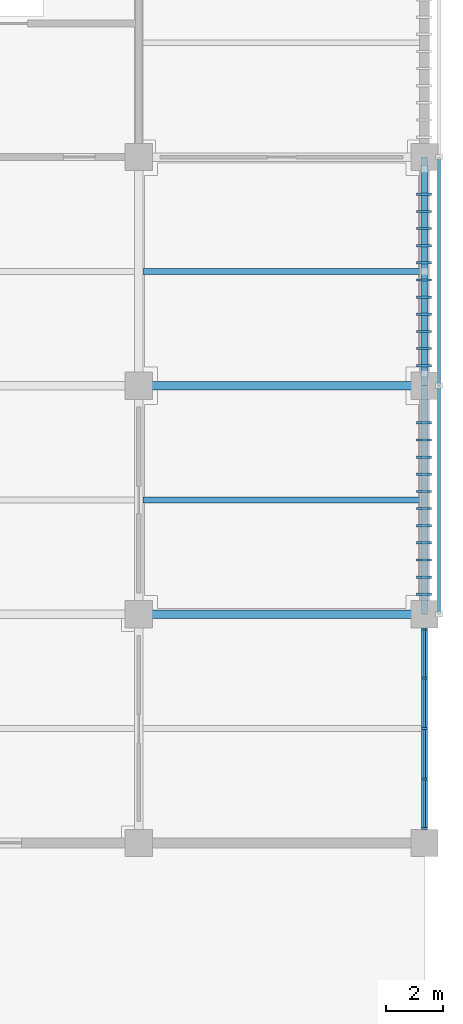
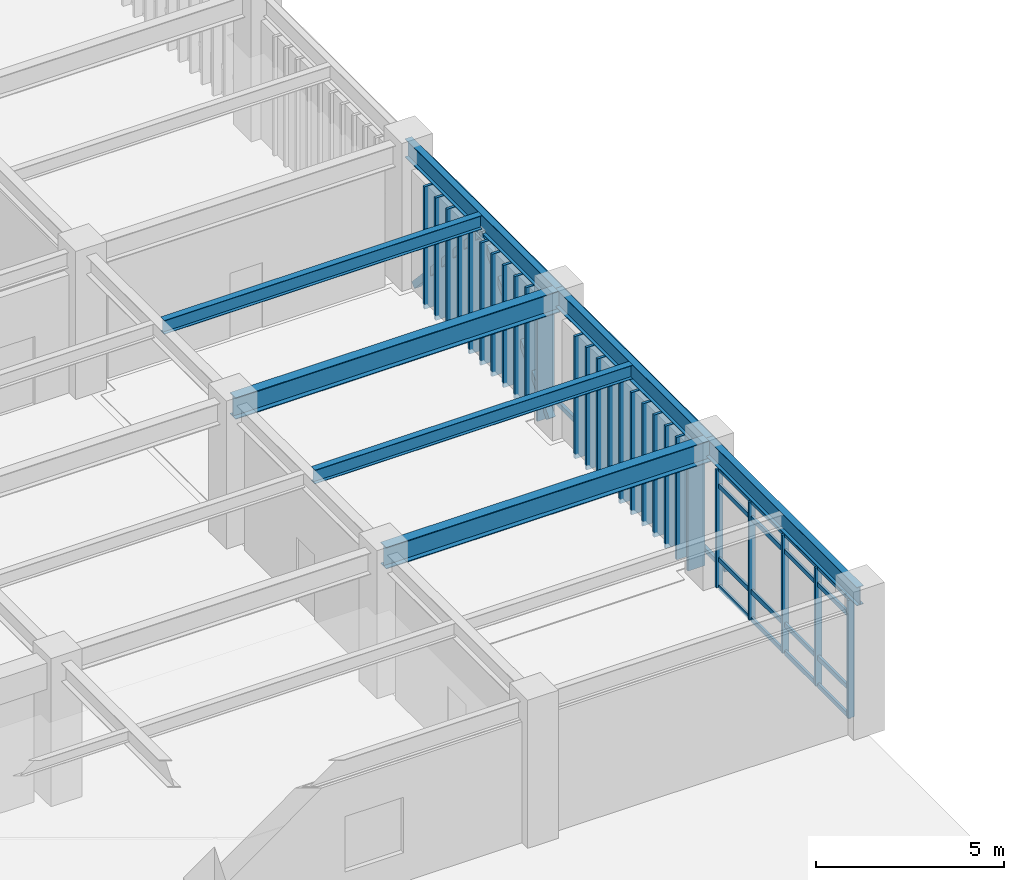
# One storey, part 29 of 109: 49 members, 7 beams, 1 element without a shape of its own.
"""IFC4 building model written with IfcOpenShell, lengths in metres."""

from ifc_helpers import new_model, si_unit, direction, frame, origin, origin_2d, place, context, subcontext, project, spatial, rectangle, hollow_rectangle, i_section, extrude, material, layer, layer_set, material_profile, profile_set, type_object, element, aggregate, save


model = new_model("IFC4")

# Units and contexts
model_context = context("Model", 3, precision=1e-05, world=origin(), true_north=direction((0.0, 1.0)))
body_context = subcontext(model_context, "Body", "Model", "MODEL_VIEW")
ifc_project = project(units=[si_unit("LENGTHUNIT", "METRE"), si_unit("AREAUNIT", "SQUARE_METRE"), si_unit("VOLUMEUNIT", "CUBIC_METRE"), si_unit("PLANEANGLEUNIT", "RADIAN"), si_unit("MASSUNIT", "GRAM", prefix="KILO")], contexts=[model_context])

# Site, building, storey
site_placement = place(None, origin())
site = spatial("IfcSite", under=ifc_project, at=site_placement, CompositionType="ELEMENT")
building_placement = place(site_placement, origin())
building = spatial("IfcBuilding", under=site, at=building_placement, Name="Haebicheon Civic Stadium", CompositionType="ELEMENT")
storey_placement = place(building_placement, frame((0.0, 0.0, 9.60009765625)))
storey = spatial("IfcBuildingStorey", under=building, at=storey_placement, Name="L03", CompositionType="ELEMENT", Elevation=9.60009765625)

# Beams
ifc_material_1 = material(Name="Steel SM490", Category="steel")
ifc_material_profile_1 = material_profile(ifc_material_1, i_section(OverallWidth=0.300048828125, OverallDepth=0.699951171875, WebThickness=0.012939453125, FlangeThickness=0.02392578125, at=origin_2d()), Name="H-700x300x13x24")
ifc_profile_set_1 = profile_set([ifc_material_profile_1], Name="Steel SM490")
beam_type_1 = type_object("IfcBeamType", Name="BM-ST-H700", PredefinedType="BEAM", material=ifc_profile_set_1)
for number, where, z_axis, x_axis, name in (
    (1, (226.0, 48.0, 4.18994140625), (1.0, 0.0, 0.0), (0.0, 1.0, 0.0), "L03 beam G/29-30"),
    (2, (226.0, 56.0, 4.18994140625), (1.0, 0.0, 0.0), (0.0, 1.0, 0.0), "L03 beam H/29-30"),
):
    element("IfcBeam", number, at=place(storey_placement, frame(where, z_axis=z_axis, x_axis=x_axis)), inside=storey, type_object=beam_type_1, material=ifc_profile_set_1, Name=name, PredefinedType="BEAM", context=body_context, shape_type="SweptSolid", body=[
        extrude(i_section(OverallWidth=0.300048828125, OverallDepth=0.699951171875, WebThickness=0.012939453125, FlangeThickness=0.02392578125, at=origin_2d()), origin(), (0.0, 0.0, 1.0), 10.0),
    ])

# Members
ifc_material_2 = material(Name="Steel SM355 (S355)", Category="steel")
ifc_material_profile_2 = material_profile(ifc_material_2, hollow_rectangle(XDim=0.199951171875, YDim=0.199951171875, WallThickness=0.009033203125, at=origin_2d()), Name="RHS-200x200x9.0")
ifc_profile_set_2 = profile_set([ifc_material_profile_2], Name="Steel SM355 (S355)")
member_type_1 = type_object("IfcMemberType", Name="BRC-RHS200", PredefinedType="BRACE", material=ifc_profile_set_2)
for number, where, z_axis, x_axis, name in (
    (3, (236.0, 56.419921875, 0.039794921875), (0.0, 0.676231908598, 0.736688812046), (-1.0, 0.0, 0.0), "BR200 chevron brace L03 28-07 A"),
    (4, (236.0, 63.580078125, 0.039794921875), (0.0, -0.676231908598, 0.736688812046), (1.0, 0.0, 0.0), "BR200 chevron brace L03 28-07 B"),
):
    element("IfcMember", number, at=place(storey_placement, frame(where, z_axis=z_axis, x_axis=x_axis)), inside=storey, type_object=member_type_1, material=ifc_profile_set_2, Name=name, PredefinedType="BRACE", context=body_context, shape_type="SweptSolid", body=[
        extrude(hollow_rectangle(XDim=0.199951171875, YDim=0.199951171875, WallThickness=0.009033203125, at=origin_2d()), origin(), (0.0, 0.0, 1.0), 5.294189453125),
    ])

# Curtain wall, members
ifc_material_3 = material(Name="Anodised aluminium and laminated glass", Category="aluminium")
ifc_layer = layer(ifc_material_3, 0.179931640625, Name="Anodised aluminium and laminated glass")
ifc_layer_set = layer_set([ifc_layer], Name="Anodised aluminium and laminated glass")
curtain_wall_type = type_object("IfcCurtainWallType", Name="CW-7050x3830", PredefinedType="NOTDEFINED", material=ifc_layer_set)
curtain_wall_placement = place(storey_placement, origin())
curtain_wall = element("IfcCurtainWall", 5, at=curtain_wall_placement, inside=storey, type_object=curtain_wall_type, material=ifc_layer_set, Name="L03 unitised curtain wall 101", PredefinedType="NOTDEFINED")
ifc_material_4 = material(Name="Anodised aluminium 6063-T6", Category="aluminium")
ifc_material_profile_3 = material_profile(ifc_material_4, rectangle(XDim=0.070068359375, YDim=0.199951171875, at=origin_2d()), Name="ALU-MULL-70x200")
ifc_profile_set_3 = profile_set([ifc_material_profile_3], Name="Anodised aluminium 6063-T6")
member_type_2 = type_object("IfcMemberType", Name="CWM-200x70", PredefinedType="MULLION", material=ifc_profile_set_3)
member_1_placement = place(storey_placement, frame((236.0, 40.510009765625, 0.0), z_axis=(0.0, 0.0, 1.0), x_axis=(0.0, 1.0, 0.0)))
member_1 = element("IfcMember", 6, at=member_1_placement, type_object=member_type_2, material=ifc_profile_set_3, Name="CW-L03-101 vertical mullion 1", PredefinedType="MULLION", context=body_context, shape_type="SweptSolid", body=[
    extrude(rectangle(XDim=0.070068359375, YDim=0.199951171875, at=origin_2d()), origin(), (0.0, 0.0, 1.0), 3.829833984375),
])
member_2_placement = place(storey_placement, frame((236.0, 42.237060546875, 0.0), z_axis=(0.0, 0.0, 1.0), x_axis=(0.0, 1.0, 0.0)))
member_2 = element("IfcMember", 7, at=member_2_placement, type_object=member_type_2, material=ifc_profile_set_3, Name="CW-L03-101 vertical mullion 2", PredefinedType="MULLION", context=body_context, shape_type="SweptSolid", body=[
    extrude(rectangle(XDim=0.070068359375, YDim=0.199951171875, at=origin_2d()), origin(), (0.0, 0.0, 1.0), 3.829833984375),
])
member_3_placement = place(storey_placement, frame((236.0, 44.0, 0.0), z_axis=(0.0, 0.0, 1.0), x_axis=(0.0, 1.0, 0.0)))
member_3 = element("IfcMember", 8, at=member_3_placement, type_object=member_type_2, material=ifc_profile_set_3, Name="CW-L03-101 vertical mullion 3", PredefinedType="MULLION", context=body_context, shape_type="SweptSolid", body=[
    extrude(rectangle(XDim=0.070068359375, YDim=0.199951171875, at=origin_2d()), origin(), (0.0, 0.0, 1.0), 3.829833984375),
])
member_4_placement = place(storey_placement, frame((236.0, 45.762939453125, 0.0), z_axis=(0.0, 0.0, 1.0), x_axis=(0.0, 1.0, 0.0)))
member_4 = element("IfcMember", 9, at=member_4_placement, type_object=member_type_2, material=ifc_profile_set_3, Name="CW-L03-101 vertical mullion 4", PredefinedType="MULLION", context=body_context, shape_type="SweptSolid", body=[
    extrude(rectangle(XDim=0.070068359375, YDim=0.199951171875, at=origin_2d()), origin(), (0.0, 0.0, 1.0), 3.829833984375),
])
member_5_placement = place(storey_placement, frame((236.0, 47.489990234375, 0.0), z_axis=(0.0, 0.0, 1.0), x_axis=(0.0, 1.0, 0.0)))
member_5 = element("IfcMember", 10, at=member_5_placement, type_object=member_type_2, material=ifc_profile_set_3, Name="CW-L03-101 vertical mullion 5", PredefinedType="MULLION", context=body_context, shape_type="SweptSolid", body=[
    extrude(rectangle(XDim=0.070068359375, YDim=0.199951171875, at=origin_2d()), origin(), (0.0, 0.0, 1.0), 3.829833984375),
])
ifc_material_5 = material(Name="Anodised aluminium 6063-T6", Category="aluminium")
ifc_material_profile_4 = material_profile(ifc_material_5, rectangle(XDim=0.070068359375, YDim=0.14990234375, at=origin_2d()), Name="ALU-TRAN-70x150")
ifc_profile_set_4 = profile_set([ifc_material_profile_4], Name="Anodised aluminium 6063-T6")
member_type_3 = type_object("IfcMemberType", Name="CWT-150x70", PredefinedType="NOTDEFINED", material=ifc_profile_set_4)
member_6_placement = place(storey_placement, frame((236.0, 40.544921875, 0.0), z_axis=(0.0, 1.0, 0.0), x_axis=(-1.0, 0.0, 0.0)))
member_6 = element("IfcMember", 11, at=member_6_placement, type_object=member_type_3, material=ifc_profile_set_4, Name="CW-L03-101 horizontal transom 1.1", ObjectType="TRANSOM", PredefinedType="USERDEFINED", context=body_context, shape_type="SweptSolid", body=[
    extrude(rectangle(XDim=0.070068359375, YDim=0.14990234375, at=origin_2d()), origin(), (0.0, 0.0, 1.0), 1.656982421875),
])
member_7_placement = place(storey_placement, frame((236.0, 40.544921875, 0.89990234375), z_axis=(0.0, 1.0, 0.0), x_axis=(-1.0, 0.0, 0.0)))
member_7 = element("IfcMember", 12, at=member_7_placement, type_object=member_type_3, material=ifc_profile_set_4, Name="CW-L03-101 horizontal transom 1.2", ObjectType="TRANSOM", PredefinedType="USERDEFINED", context=body_context, shape_type="SweptSolid", body=[
    extrude(rectangle(XDim=0.070068359375, YDim=0.14990234375, at=origin_2d()), origin(), (0.0, 0.0, 1.0), 1.656982421875),
])
member_8_placement = place(storey_placement, frame((236.0, 40.544921875, 3.27978515625), z_axis=(0.0, 1.0, 0.0), x_axis=(-1.0, 0.0, 0.0)))
member_8 = element("IfcMember", 13, at=member_8_placement, type_object=member_type_3, material=ifc_profile_set_4, Name="CW-L03-101 horizontal transom 1.3", ObjectType="TRANSOM", PredefinedType="USERDEFINED", context=body_context, shape_type="SweptSolid", body=[
    extrude(rectangle(XDim=0.070068359375, YDim=0.14990234375, at=origin_2d()), origin(), (0.0, 0.0, 1.0), 1.656982421875),
])
member_9_placement = place(storey_placement, frame((236.0, 40.544921875, 3.829833984375), z_axis=(0.0, 1.0, 0.0), x_axis=(-1.0, 0.0, 0.0)))
member_9 = element("IfcMember", 14, at=member_9_placement, type_object=member_type_3, material=ifc_profile_set_4, Name="CW-L03-101 horizontal transom 1.4", ObjectType="TRANSOM", PredefinedType="USERDEFINED", context=body_context, shape_type="SweptSolid", body=[
    extrude(rectangle(XDim=0.070068359375, YDim=0.14990234375, at=origin_2d()), origin(), (0.0, 0.0, 1.0), 1.656982421875),
])
member_10_placement = place(storey_placement, frame((236.0, 42.27197265625, 0.0), z_axis=(0.0, 1.0, 0.0), x_axis=(-1.0, 0.0, 0.0)))
member_10 = element("IfcMember", 15, at=member_10_placement, type_object=member_type_3, material=ifc_profile_set_4, Name="CW-L03-101 horizontal transom 2.1", ObjectType="TRANSOM", PredefinedType="USERDEFINED", context=body_context, shape_type="SweptSolid", body=[
    extrude(rectangle(XDim=0.070068359375, YDim=0.14990234375, at=origin_2d()), origin(), (0.0, 0.0, 1.0), 1.693115234375),
])
member_11_placement = place(storey_placement, frame((236.0, 42.27197265625, 0.89990234375), z_axis=(0.0, 1.0, 0.0), x_axis=(-1.0, 0.0, 0.0)))
member_11 = element("IfcMember", 16, at=member_11_placement, type_object=member_type_3, material=ifc_profile_set_4, Name="CW-L03-101 horizontal transom 2.2", ObjectType="TRANSOM", PredefinedType="USERDEFINED", context=body_context, shape_type="SweptSolid", body=[
    extrude(rectangle(XDim=0.070068359375, YDim=0.14990234375, at=origin_2d()), origin(), (0.0, 0.0, 1.0), 1.693115234375),
])
member_12_placement = place(storey_placement, frame((236.0, 42.27197265625, 3.27978515625), z_axis=(0.0, 1.0, 0.0), x_axis=(-1.0, 0.0, 0.0)))
member_12 = element("IfcMember", 17, at=member_12_placement, type_object=member_type_3, material=ifc_profile_set_4, Name="CW-L03-101 horizontal transom 2.3", ObjectType="TRANSOM", PredefinedType="USERDEFINED", context=body_context, shape_type="SweptSolid", body=[
    extrude(rectangle(XDim=0.070068359375, YDim=0.14990234375, at=origin_2d()), origin(), (0.0, 0.0, 1.0), 1.693115234375),
])
member_13_placement = place(storey_placement, frame((236.0, 42.27197265625, 3.829833984375), z_axis=(0.0, 1.0, 0.0), x_axis=(-1.0, 0.0, 0.0)))
member_13 = element("IfcMember", 18, at=member_13_placement, type_object=member_type_3, material=ifc_profile_set_4, Name="CW-L03-101 horizontal transom 2.4", ObjectType="TRANSOM", PredefinedType="USERDEFINED", context=body_context, shape_type="SweptSolid", body=[
    extrude(rectangle(XDim=0.070068359375, YDim=0.14990234375, at=origin_2d()), origin(), (0.0, 0.0, 1.0), 1.693115234375),
])
member_14_placement = place(storey_placement, frame((236.0, 44.034912109375, 0.0), z_axis=(0.0, 1.0, 0.0), x_axis=(-1.0, 0.0, 0.0)))
member_14 = element("IfcMember", 19, at=member_14_placement, type_object=member_type_3, material=ifc_profile_set_4, Name="CW-L03-101 horizontal transom 3.1", ObjectType="TRANSOM", PredefinedType="USERDEFINED", context=body_context, shape_type="SweptSolid", body=[
    extrude(rectangle(XDim=0.070068359375, YDim=0.14990234375, at=origin_2d()), origin(), (0.0, 0.0, 1.0), 1.693115234375),
])
member_15_placement = place(storey_placement, frame((236.0, 44.034912109375, 0.89990234375), z_axis=(0.0, 1.0, 0.0), x_axis=(-1.0, 0.0, 0.0)))
member_15 = element("IfcMember", 20, at=member_15_placement, type_object=member_type_3, material=ifc_profile_set_4, Name="CW-L03-101 horizontal transom 3.2", ObjectType="TRANSOM", PredefinedType="USERDEFINED", context=body_context, shape_type="SweptSolid", body=[
    extrude(rectangle(XDim=0.070068359375, YDim=0.14990234375, at=origin_2d()), origin(), (0.0, 0.0, 1.0), 1.693115234375),
])
member_16_placement = place(storey_placement, frame((236.0, 44.034912109375, 3.27978515625), z_axis=(0.0, 1.0, 0.0), x_axis=(-1.0, 0.0, 0.0)))
member_16 = element("IfcMember", 21, at=member_16_placement, type_object=member_type_3, material=ifc_profile_set_4, Name="CW-L03-101 horizontal transom 3.3", ObjectType="TRANSOM", PredefinedType="USERDEFINED", context=body_context, shape_type="SweptSolid", body=[
    extrude(rectangle(XDim=0.070068359375, YDim=0.14990234375, at=origin_2d()), origin(), (0.0, 0.0, 1.0), 1.693115234375),
])
member_17_placement = place(storey_placement, frame((236.0, 44.034912109375, 3.829833984375), z_axis=(0.0, 1.0, 0.0), x_axis=(-1.0, 0.0, 0.0)))
member_17 = element("IfcMember", 22, at=member_17_placement, type_object=member_type_3, material=ifc_profile_set_4, Name="CW-L03-101 horizontal transom 3.4", ObjectType="TRANSOM", PredefinedType="USERDEFINED", context=body_context, shape_type="SweptSolid", body=[
    extrude(rectangle(XDim=0.070068359375, YDim=0.14990234375, at=origin_2d()), origin(), (0.0, 0.0, 1.0), 1.693115234375),
])
member_18_placement = place(storey_placement, frame((236.0, 45.798095703125, 0.0), z_axis=(0.0, 1.0, 0.0), x_axis=(-1.0, 0.0, 0.0)))
member_18 = element("IfcMember", 23, at=member_18_placement, type_object=member_type_3, material=ifc_profile_set_4, Name="CW-L03-101 horizontal transom 4.1", ObjectType="TRANSOM", PredefinedType="USERDEFINED", context=body_context, shape_type="SweptSolid", body=[
    extrude(rectangle(XDim=0.070068359375, YDim=0.14990234375, at=origin_2d()), origin(), (0.0, 0.0, 1.0), 1.656982421875),
])
member_19_placement = place(storey_placement, frame((236.0, 45.798095703125, 0.89990234375), z_axis=(0.0, 1.0, 0.0), x_axis=(-1.0, 0.0, 0.0)))
member_19 = element("IfcMember", 24, at=member_19_placement, type_object=member_type_3, material=ifc_profile_set_4, Name="CW-L03-101 horizontal transom 4.2", ObjectType="TRANSOM", PredefinedType="USERDEFINED", context=body_context, shape_type="SweptSolid", body=[
    extrude(rectangle(XDim=0.070068359375, YDim=0.14990234375, at=origin_2d()), origin(), (0.0, 0.0, 1.0), 1.656982421875),
])
member_20_placement = place(storey_placement, frame((236.0, 45.798095703125, 3.27978515625), z_axis=(0.0, 1.0, 0.0), x_axis=(-1.0, 0.0, 0.0)))
member_20 = element("IfcMember", 25, at=member_20_placement, type_object=member_type_3, material=ifc_profile_set_4, Name="CW-L03-101 horizontal transom 4.3", ObjectType="TRANSOM", PredefinedType="USERDEFINED", context=body_context, shape_type="SweptSolid", body=[
    extrude(rectangle(XDim=0.070068359375, YDim=0.14990234375, at=origin_2d()), origin(), (0.0, 0.0, 1.0), 1.656982421875),
])
member_21_placement = place(storey_placement, frame((236.0, 45.798095703125, 3.829833984375), z_axis=(0.0, 1.0, 0.0), x_axis=(-1.0, 0.0, 0.0)))
member_21 = element("IfcMember", 26, at=member_21_placement, type_object=member_type_3, material=ifc_profile_set_4, Name="CW-L03-101 horizontal transom 4.4", ObjectType="TRANSOM", PredefinedType="USERDEFINED", context=body_context, shape_type="SweptSolid", body=[
    extrude(rectangle(XDim=0.070068359375, YDim=0.14990234375, at=origin_2d()), origin(), (0.0, 0.0, 1.0), 1.656982421875),
])
aggregate(curtain_wall, [member_1, member_2, member_3, member_4, member_5, member_6, member_7, member_8, member_9, member_10, member_11, member_12, member_13, member_14, member_15, member_16, member_17, member_18, member_19, member_20, member_21])

# Beams
ifc_material_6 = material(Name="Steel SM355 (S355)", Category="steel")
ifc_material_profile_5 = material_profile(ifc_material_6, i_section(OverallWidth=0.199951171875, OverallDepth=0.449951171875, WebThickness=0.009033203125, FlangeThickness=0.013916015625, at=origin_2d()), Name="H-450x200x9x14")
ifc_profile_set_5 = profile_set([ifc_material_profile_5], Name="Steel SM355 (S355)")
beam_type_2 = type_object("IfcBeamType", Name="JST-ST-H450", PredefinedType="JOIST", material=ifc_profile_set_5)
for number, where, z_axis, x_axis, name in (
    (27, (226.14990234375, 52.0, 4.31494140625), (1.0, 0.0, 0.0), (0.0, 1.0, 0.0), "L03 secondary joist 28-06"),
    (28, (226.14990234375, 60.0, 4.31494140625), (1.0, 0.0, 0.0), (0.0, 1.0, 0.0), "L03 secondary joist 28-07"),
):
    element("IfcBeam", number, at=place(storey_placement, frame(where, z_axis=z_axis, x_axis=x_axis)), inside=storey, type_object=beam_type_2, material=ifc_profile_set_5, Name=name, PredefinedType="JOIST", context=body_context, shape_type="SweptSolid", body=[
        extrude(i_section(OverallWidth=0.199951171875, OverallDepth=0.449951171875, WebThickness=0.009033203125, FlangeThickness=0.013916015625, at=origin_2d()), origin(), (0.0, 0.0, 1.0), 9.75),
    ])

# Members
ifc_material_7 = material(Name="Acetylated timber GL28h", Category="wood")
ifc_material_profile_6 = material_profile(ifc_material_7, rectangle(XDim=0.080078125, YDim=0.52001953125, at=origin_2d()), Name="TMB-LOUV-80x520")
ifc_profile_set_6 = profile_set([ifc_material_profile_6], Name="Acetylated timber GL28h")
member_type_4 = type_object("IfcMemberType", Name="LVR-TIM-520x80", PredefinedType="PLATE", material=ifc_profile_set_6)
for number, where, z_axis, x_axis, name in (
    (29, (235.97998046875, 48.699951171875, -0.1201171875), (0.0, 0.0, 1.0), (0.0, 1.0, 0.0), "SCR-COMM L03 acetylated timber storm louvre fin 1.1"),
    (30, (235.97998046875, 49.300048828125, -0.1201171875), (0.0, 0.0, 1.0), (0.0, 1.0, 0.0), "SCR-COMM L03 acetylated timber storm louvre fin 1.2"),
    (31, (235.97998046875, 49.89990234375, -0.1201171875), (0.0, 0.0, 1.0), (0.0, 1.0, 0.0), "SCR-COMM L03 acetylated timber storm louvre fin 1.3"),
    (32, (235.97998046875, 50.5, -0.1201171875), (0.0, 0.0, 1.0), (0.0, 1.0, 0.0), "SCR-COMM L03 acetylated timber storm louvre fin 1.4"),
    (33, (235.97998046875, 51.10009765625, -0.1201171875), (0.0, 0.0, 1.0), (0.0, 1.0, 0.0), "SCR-COMM L03 acetylated timber storm louvre fin 1.5"),
    (34, (235.97998046875, 51.699951171875, -0.1201171875), (0.0, 0.0, 1.0), (0.0, 1.0, 0.0), "SCR-COMM L03 acetylated timber storm louvre fin 1.6"),
    (35, (235.97998046875, 52.300048828125, -0.1201171875), (0.0, 0.0, 1.0), (0.0, 1.0, 0.0), "SCR-COMM L03 acetylated timber storm louvre fin 1.7"),
    (36, (235.97998046875, 52.89990234375, -0.1201171875), (0.0, 0.0, 1.0), (0.0, 1.0, 0.0), "SCR-COMM L03 acetylated timber storm louvre fin 1.8"),
    (37, (235.97998046875, 53.5, -0.1201171875), (0.0, 0.0, 1.0), (0.0, 1.0, 0.0), "SCR-COMM L03 acetylated timber storm louvre fin 1.9"),
    (38, (235.97998046875, 54.10009765625, -0.1201171875), (0.0, 0.0, 1.0), (0.0, 1.0, 0.0), "SCR-COMM L03 acetylated timber storm louvre fin 1.10"),
    (39, (235.97998046875, 54.699951171875, -0.1201171875), (0.0, 0.0, 1.0), (0.0, 1.0, 0.0), "SCR-COMM L03 acetylated timber storm louvre fin 1.11"),
    (40, (235.97998046875, 56.699951171875, -0.1201171875), (0.0, 0.0, 1.0), (0.0, 1.0, 0.0), "SCR-COMM L03 acetylated timber storm louvre fin 2.1"),
    (41, (235.97998046875, 57.300048828125, -0.1201171875), (0.0, 0.0, 1.0), (0.0, 1.0, 0.0), "SCR-COMM L03 acetylated timber storm louvre fin 2.2"),
    (42, (235.97998046875, 57.89990234375, -0.1201171875), (0.0, 0.0, 1.0), (0.0, 1.0, 0.0), "SCR-COMM L03 acetylated timber storm louvre fin 2.3"),
    (43, (235.97998046875, 58.5, -0.1201171875), (0.0, 0.0, 1.0), (0.0, 1.0, 0.0), "SCR-COMM L03 acetylated timber storm louvre fin 2.4"),
    (44, (235.97998046875, 59.10009765625, -0.1201171875), (0.0, 0.0, 1.0), (0.0, 1.0, 0.0), "SCR-COMM L03 acetylated timber storm louvre fin 2.5"),
    (45, (235.97998046875, 59.699951171875, -0.1201171875), (0.0, 0.0, 1.0), (0.0, 1.0, 0.0), "SCR-COMM L03 acetylated timber storm louvre fin 2.6"),
    (46, (235.97998046875, 60.300048828125, -0.1201171875), (0.0, 0.0, 1.0), (0.0, 1.0, 0.0), "SCR-COMM L03 acetylated timber storm louvre fin 2.7"),
    (47, (235.97998046875, 60.89990234375, -0.1201171875), (0.0, 0.0, 1.0), (0.0, 1.0, 0.0), "SCR-COMM L03 acetylated timber storm louvre fin 2.8"),
    (48, (235.97998046875, 61.5, -0.1201171875), (0.0, 0.0, 1.0), (0.0, 1.0, 0.0), "SCR-COMM L03 acetylated timber storm louvre fin 2.9"),
    (49, (235.97998046875, 62.10009765625, -0.1201171875), (0.0, 0.0, 1.0), (0.0, 1.0, 0.0), "SCR-COMM L03 acetylated timber storm louvre fin 2.10"),
    (50, (235.97998046875, 62.699951171875, -0.1201171875), (0.0, 0.0, 1.0), (0.0, 1.0, 0.0), "SCR-COMM L03 acetylated timber storm louvre fin 2.11"),
):
    element("IfcMember", number, at=place(storey_placement, frame(where, z_axis=z_axis, x_axis=x_axis)), inside=storey, type_object=member_type_4, material=ifc_profile_set_6, Name=name, PredefinedType="PLATE", context=body_context, shape_type="SweptSolid", body=[
        extrude(rectangle(XDim=0.080078125, YDim=0.52001953125, at=origin_2d()), origin(), (0.0, 0.0, 1.0), 3.969970703125),
    ])

# Beams
ifc_material_8 = material(Name="Steel SM355 (S355)", Category="steel")
ifc_material_profile_7 = material_profile(ifc_material_8, i_section(OverallWidth=0.199951171875, OverallDepth=0.60009765625, WebThickness=0.010986328125, FlangeThickness=0.01708984375, at=origin_2d()), Name="H-600x200x11x17")
ifc_profile_set_7 = profile_set([ifc_material_profile_7], Name="Steel SM355 (S355)")
beam_type_3 = type_object("IfcBeamType", Name="SPD-ST-H600B", PredefinedType="SPANDREL", material=ifc_profile_set_7)
for number, where, z_axis, x_axis, name in (
    (51, (236.0, 40.0, 4.239990234375), (0.0, 1.0, 0.0), (-1.0, 0.0, 0.0), "L03 girder 30/F-G"),
    (52, (236.0, 48.0, 4.239990234375), (0.0, 1.0, 0.0), (-1.0, 0.0, 0.0), "L03 girder 30/G-H"),
    (53, (236.0, 56.0, 4.239990234375), (0.0, 1.0, 0.0), (-1.0, 0.0, 0.0), "L03 girder 30/H-J"),
):
    element("IfcBeam", number, at=place(storey_placement, frame(where, z_axis=z_axis, x_axis=x_axis)), inside=storey, type_object=beam_type_3, material=ifc_profile_set_7, Name=name, PredefinedType="SPANDREL", context=body_context, shape_type="SweptSolid", body=[
        extrude(i_section(OverallWidth=0.199951171875, OverallDepth=0.60009765625, WebThickness=0.010986328125, FlangeThickness=0.01708984375, at=origin_2d()), origin(), (0.0, 0.0, 1.0), 8.0),
    ])

# Members
ifc_material_9 = material(Name="Steel SM355 (S355)", Category="steel")
ifc_material_profile_8 = material_profile(ifc_material_9, hollow_rectangle(XDim=0.10009765625, YDim=0.14990234375, WallThickness=0.006103515625, at=origin_2d()), Name="RHS-150x100x6.0")
ifc_profile_set_8 = profile_set([ifc_material_profile_8], Name="Steel SM355 (S355)")
member_type_5 = type_object("IfcMemberType", Name="SUB-RHS150", PredefinedType="STRINGER", material=ifc_profile_set_8)
for number, where, z_axis, x_axis, name in (
    (54, (236.514892578125, 48.0, 0.059814453125), (0.0, 1.0, 0.0), (-1.0, 0.0, 0.0), "SCR-COMM L03 storm-louvre bottom carrier rail 1"),
    (55, (236.514892578125, 48.0, 3.849853515625), (0.0, 1.0, 0.0), (-1.0, 0.0, 0.0), "SCR-COMM L03 storm-louvre top carrier rail 1"),
    (56, (236.514892578125, 56.0, 0.059814453125), (0.0, 1.0, 0.0), (-1.0, 0.0, 0.0), "SCR-COMM L03 storm-louvre bottom carrier rail 2"),
    (57, (236.514892578125, 56.0, 3.849853515625), (0.0, 1.0, 0.0), (-1.0, 0.0, 0.0), "SCR-COMM L03 storm-louvre top carrier rail 2"),
):
    element("IfcMember", number, at=place(storey_placement, frame(where, z_axis=z_axis, x_axis=x_axis)), inside=storey, type_object=member_type_5, material=ifc_profile_set_8, Name=name, PredefinedType="STRINGER", context=body_context, shape_type="SweptSolid", body=[
        extrude(hollow_rectangle(XDim=0.10009765625, YDim=0.14990234375, WallThickness=0.006103515625, at=origin_2d()), origin(), (0.0, 0.0, 1.0), 8.0),
    ])

save(model, "model.ifc")
